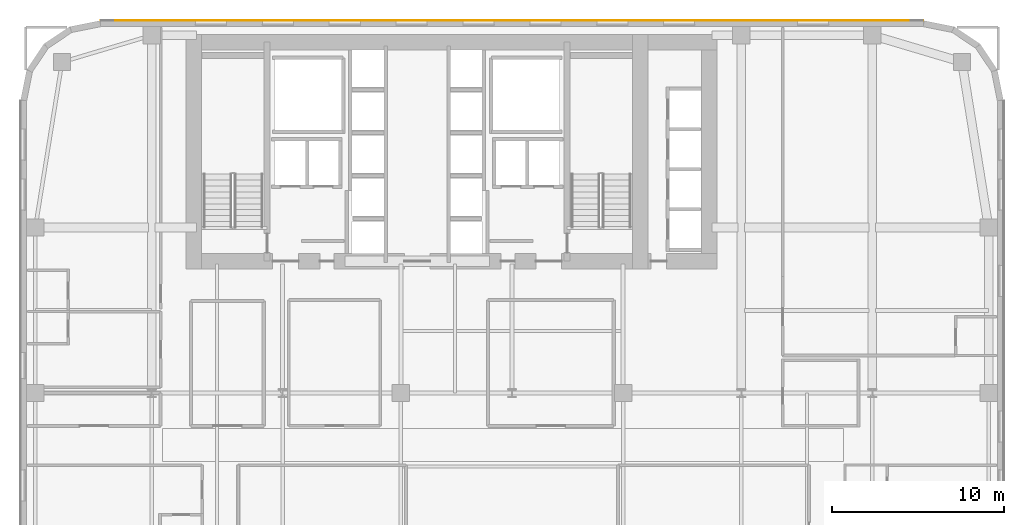
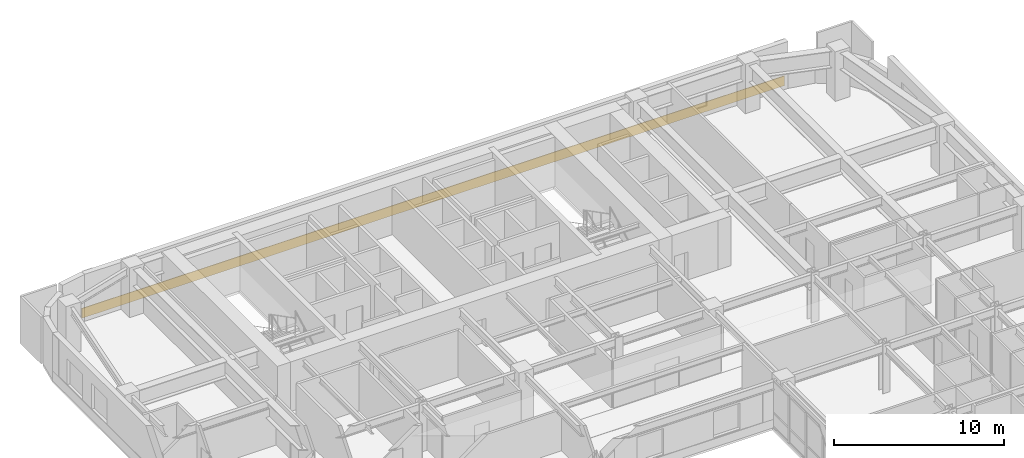
# One storey, part 24 of 25: 1 covering.
"""IFC4 building model written with IfcOpenShell, lengths in metres."""

from ifc_helpers import new_model, si_unit, direction, frame, origin, place, context, subcontext, project, spatial, polyline, outline, extrude, material, layer, layer_set, type_object, element, save


model = new_model("IFC4")

# Units and contexts
model_context = context("Model", 3, precision=1e-05, world=origin(), true_north=direction((0.0, 1.0)))
body_context = subcontext(model_context, "Body", "Model", "MODEL_VIEW")
ifc_project = project(units=[si_unit("LENGTHUNIT", "METRE"), si_unit("AREAUNIT", "SQUARE_METRE"), si_unit("VOLUMEUNIT", "CUBIC_METRE"), si_unit("PLANEANGLEUNIT", "RADIAN"), si_unit("MASSUNIT", "GRAM", prefix="KILO")], contexts=[model_context])

# Site, building, storey
site_placement = place(None, origin())
site = spatial("IfcSite", under=ifc_project, at=site_placement, CompositionType="ELEMENT")
building_placement = place(site_placement, origin())
building = spatial("IfcBuilding", under=site, at=building_placement, Name="Tolvann Quenvar Hotel", CompositionType="ELEMENT")
storey_placement = place(building_placement, frame((0.0, 0.0, 60.39990234375)))
storey = spatial("IfcBuildingStorey", under=building, at=storey_placement, Name="L14", CompositionType="ELEMENT", Elevation=60.39990234375)

# Covering
ifc_material = material(Name="Moulded buff architectural terracotta spandrel cladding", Category="masonry")
ifc_layer = layer(ifc_material, 0.0400390625)
ifc_layer_set = layer_set([ifc_layer], Name="Moulded buff architectural terracotta spandrel cladding")
covering_type = type_object("IfcCoveringType", Name="COV_CLAD_TERRA_40", PredefinedType="CLADDING", material=ifc_layer_set)
covering_placement = place(storey_placement, origin())
element("IfcCovering", 1, at=covering_placement, inside=storey, type_object=covering_type, Name="Terracotta Spandrel Cladding (L14-E18)", PredefinedType="CLADDING", context=body_context, shape_type="SweptSolid", body=[
    extrude(outline(polyline([(52.3427734375, 46.0), (4.6572265625, 46.0), (4.6572265625, 46.0400390625), (52.3427734375, 46.0400390625), (52.3427734375, 46.0)])), origin(), (0.0, 0.0, 1.0), 0.7001953125),
])

save(model, "model.ifc")
